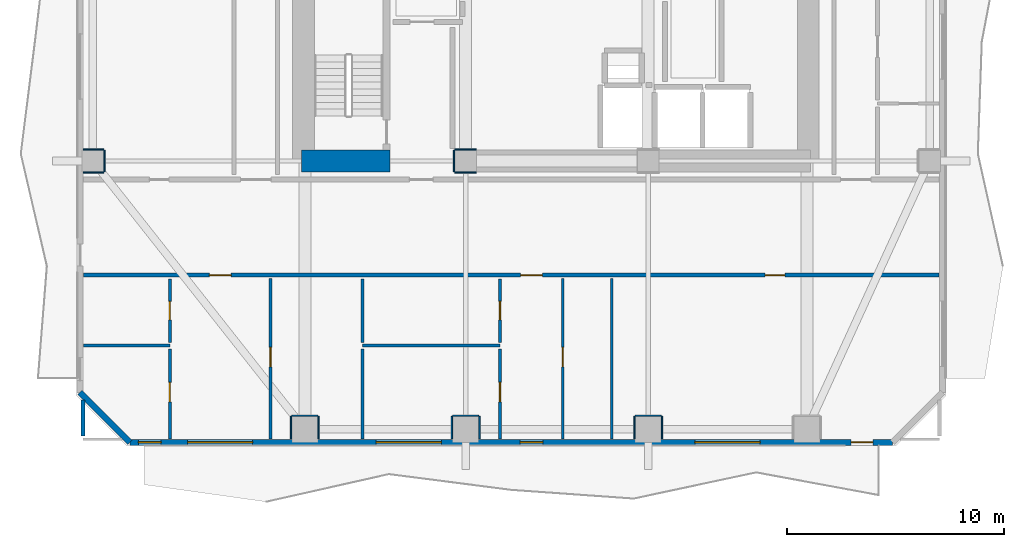
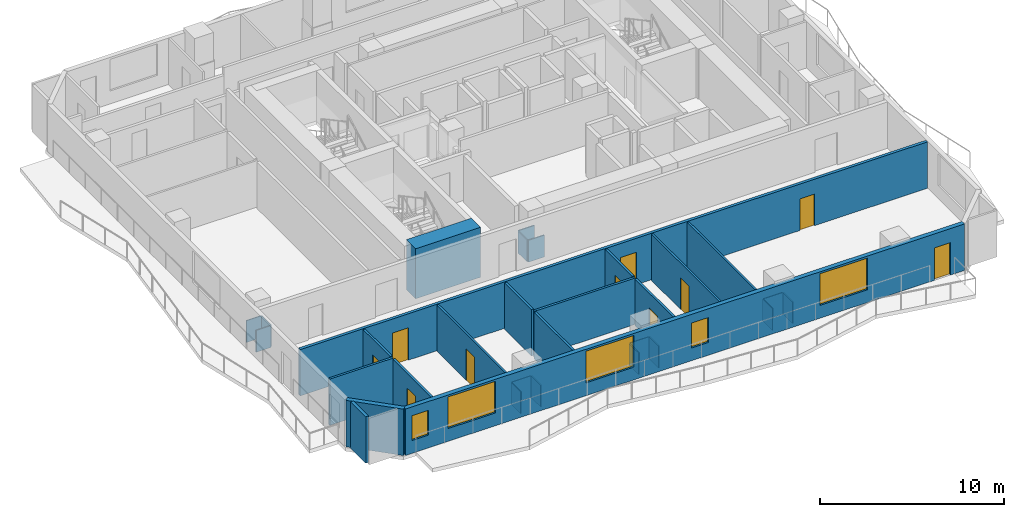
# One storey, part 2 of 10: 31 walls, 10 doors, 5 windows, 15 openings.
"""IFC4 building model written with IfcOpenShell, lengths in metres."""

from ifc_helpers import new_model, si_unit, direction, frame, frame_2d, origin, place, context, subcontext, project, spatial, rectangle, extrude, material, layer, layer_set, type_object, element, fill, save


model = new_model("IFC4")

# Units and contexts
model_context = context("Model", 3, precision=1e-05, world=origin(), true_north=direction((0.0, 1.0)))
body_context = subcontext(model_context, "Body", "Model", "MODEL_VIEW")
ifc_project = project(units=[si_unit("LENGTHUNIT", "METRE"), si_unit("AREAUNIT", "SQUARE_METRE"), si_unit("VOLUMEUNIT", "CUBIC_METRE"), si_unit("PLANEANGLEUNIT", "RADIAN"), si_unit("MASSUNIT", "GRAM", prefix="KILO")], contexts=[model_context])

# Site, building, storey
site_placement = place(None, origin())
site = spatial("IfcSite", under=ifc_project, at=site_placement, CompositionType="ELEMENT")
building_placement = place(site_placement, origin())
building = spatial("IfcBuilding", under=site, at=building_placement, Name="Solanera Arch Residences", CompositionType="ELEMENT")
storey_placement = place(building_placement, frame((0.0, 0.0, 119.360107421875)))
storey = spatial("IfcBuildingStorey", under=building, at=storey_placement, Name="L34", CompositionType="ELEMENT", Elevation=119.360107421875)

# Walls
ifc_material_1 = material(Name="Fire-Rated Gypsum Stud Partition", Category="gypsum")
ifc_layer_1 = layer(ifc_material_1, 0.06005859375)
ifc_layer_set_1 = layer_set([ifc_layer_1], Name="Fire-Rated Gypsum Stud Partition")
wall_type_1 = type_object("IfcWallType", Name="Column Acoustic Furring Wall 60", PredefinedType="PARTITIONING", material=ifc_layer_set_1)
for number, where, z_axis, x_axis, name in (
    (1, (20.300048828125, 21.468017578125, 0.0), (0.0, 0.0, 1.0), (1.0, 0.0, 0.0), "L34 Column Furring 1S"),
    (2, (20.300048828125, 22.531982421875, 0.0), (0.0, 0.0, 1.0), (1.0, 0.0, 0.0), "L34 Column Furring 1N"),
    (3, (20.26806640625, 21.5, 0.0), (0.0, 0.0, 1.0), (0.0, 1.0, 0.0), "L34 Column Furring 1W"),
):
    element("IfcWall", number, at=place(storey_placement, frame(where, z_axis=z_axis, x_axis=x_axis)), inside=storey, type_object=wall_type_1, Name=name, PredefinedType="PARTITIONING", context=body_context, shape_type="SweptSolid", body=[
        extrude(rectangle(XDim=1.0, YDim=0.06005859375, at=frame_2d((0.5, 0.0))), origin(), (0.0, 0.0, 1.0), 1.449951171875),
    ])
wall_1_placement = place(storey_placement, frame((12.800048828125, 10.281982421875, 0.0), z_axis=(0.0, 0.0, 1.0), x_axis=(1.0, 0.0, 0.0)))
element("IfcWall", 4, at=wall_1_placement, inside=storey, type_object=wall_type_1, Name="L34 Column Furring 9N", PredefinedType="PARTITIONING", context=body_context, shape_type="SweptSolid", body=[
    extrude(rectangle(XDim=1.199951171875, YDim=0.06005859375, at=frame_2d((0.60009765625, 0.0))), origin(), (0.0, 0.0, 1.0), 1.449951171875),
])
for number, where, z_axis, x_axis, name in (
    (5, (12.76806640625, 9.2099609375, 0.0), (0.0, 0.0, 1.0), (0.0, 1.0, 0.0), "L34 Column Furring 9W"),
    (6, (14.031982421875, 9.2099609375, 0.0), (0.0, 0.0, 1.0), (0.0, 1.0, 0.0), "L34 Column Furring 9E"),
):
    element("IfcWall", number, at=place(storey_placement, frame(where, z_axis=z_axis, x_axis=x_axis)), inside=storey, type_object=wall_type_1, Name=name, PredefinedType="PARTITIONING", context=body_context, shape_type="SweptSolid", body=[
        extrude(rectangle(XDim=1.0400390625, YDim=0.06005859375, at=frame_2d((0.52001953125, 0.0))), origin(), (0.0, 0.0, 1.0), 1.449951171875),
    ])
wall_2_placement = place(storey_placement, frame((20.199951171875, 10.281982421875, 0.0), z_axis=(0.0, 0.0, 1.0), x_axis=(1.0, 0.0, 0.0)))
element("IfcWall", 7, at=wall_2_placement, inside=storey, type_object=wall_type_1, Name="L34 Column Furring 11N", PredefinedType="PARTITIONING", context=body_context, shape_type="SweptSolid", body=[
    extrude(rectangle(XDim=1.199951171875, YDim=0.06005859375, at=frame_2d((0.60009765625, 0.0))), origin(), (0.0, 0.0, 1.0), 1.449951171875),
])
for number, where, z_axis, x_axis, name in (
    (8, (20.16796875, 9.2099609375, 0.0), (0.0, 0.0, 1.0), (0.0, 1.0, 0.0), "L34 Column Furring 11W"),
    (9, (21.431884765625, 9.2099609375, 0.0), (0.0, 0.0, 1.0), (0.0, 1.0, 0.0), "L34 Column Furring 11E"),
):
    element("IfcWall", number, at=place(storey_placement, frame(where, z_axis=z_axis, x_axis=x_axis)), inside=storey, type_object=wall_type_1, Name=name, PredefinedType="PARTITIONING", context=body_context, shape_type="SweptSolid", body=[
        extrude(rectangle(XDim=1.0400390625, YDim=0.06005859375, at=frame_2d((0.52001953125, 0.0))), origin(), (0.0, 0.0, 1.0), 1.449951171875),
    ])
wall_3_placement = place(storey_placement, frame((28.60009765625, 10.281982421875, 0.0), z_axis=(0.0, 0.0, 1.0), x_axis=(1.0, 0.0, 0.0)))
element("IfcWall", 10, at=wall_3_placement, inside=storey, type_object=wall_type_1, Name="L34 Column Furring 13N", PredefinedType="PARTITIONING", context=body_context, shape_type="SweptSolid", body=[
    extrude(rectangle(XDim=1.199951171875, YDim=0.06005859375, at=frame_2d((0.60009765625, 0.0))), origin(), (0.0, 0.0, 1.0), 1.449951171875),
])
for number, where, z_axis, x_axis, name in (
    (11, (28.568115234375, 9.2099609375, 0.0), (0.0, 0.0, 1.0), (0.0, 1.0, 0.0), "L34 Column Furring 13W"),
    (12, (29.83203125, 9.2099609375, 0.0), (0.0, 0.0, 1.0), (0.0, 1.0, 0.0), "L34 Column Furring 13E"),
):
    element("IfcWall", number, at=place(storey_placement, frame(where, z_axis=z_axis, x_axis=x_axis)), inside=storey, type_object=wall_type_1, Name=name, PredefinedType="PARTITIONING", context=body_context, shape_type="SweptSolid", body=[
        extrude(rectangle(XDim=1.0400390625, YDim=0.06005859375, at=frame_2d((0.52001953125, 0.0))), origin(), (0.0, 0.0, 1.0), 1.449951171875),
    ])
for number, where, z_axis, x_axis, name in (
    (13, (3.2099609375, 21.468017578125, 0.0), (0.0, 0.0, 1.0), (1.0, 0.0, 0.0), "L34 Column Furring 17S"),
    (14, (3.2099609375, 22.531982421875, 0.0), (0.0, 0.0, 1.0), (1.0, 0.0, 0.0), "L34 Column Furring 17N"),
):
    element("IfcWall", number, at=place(storey_placement, frame(where, z_axis=z_axis, x_axis=x_axis)), inside=storey, type_object=wall_type_1, Name=name, PredefinedType="PARTITIONING", context=body_context, shape_type="SweptSolid", body=[
        extrude(rectangle(XDim=0.93994140625, YDim=0.06005859375, at=frame_2d((0.469970703125, 0.0))), origin(), (0.0, 0.0, 1.0), 1.449951171875),
    ])
wall_4_placement = place(storey_placement, frame((4.181884765625, 21.5, 0.0), z_axis=(0.0, 0.0, 1.0), x_axis=(0.0, 1.0, 0.0)))
element("IfcWall", 15, at=wall_4_placement, inside=storey, type_object=wall_type_1, Name="L34 Column Furring 17E", PredefinedType="PARTITIONING", context=body_context, shape_type="SweptSolid", body=[
    extrude(rectangle(XDim=1.0, YDim=0.06005859375, at=frame_2d((0.5, 0.0))), origin(), (0.0, 0.0, 1.0), 1.449951171875),
])
ifc_material_2 = material(Name="Concrete C55/67 (f'c = 60 MPa)", Category="concrete")
ifc_layer_2 = layer(ifc_material_2, 1.0)
ifc_layer_set_2 = layer_set([ifc_layer_2], Name="Concrete C55/67 (f'c = 60 MPa)")
wall_type_2 = type_object("IfcWallType", Name="Core Shear Wall CW-1000", PredefinedType="SHEAR", material=ifc_layer_set_2)
wall_5_placement = place(storey_placement, frame((13.239990234375, 22.0, 0.0), z_axis=(0.0, 0.0, 1.0), x_axis=(1.0, 0.0, 0.0)))
element("IfcWall", 16, at=wall_5_placement, inside=storey, type_object=wall_type_2, Name="L34 South-West Core Shear Wall", PredefinedType="SHEAR", context=body_context, shape_type="SweptSolid", body=[
    extrude(rectangle(XDim=4.080078125, YDim=1.0, at=frame_2d((2.0400390625, 0.0))), origin(), (0.0, 0.0, 1.0), 3.31982421875),
])

# Wall, openings, doors
ifc_material_3 = material(Name="Autoclaved Aerated Concrete Blockwork", Category="masonry")
ifc_layer_3 = layer(ifc_material_3, 0.179931640625)
ifc_layer_set_3 = layer_set([ifc_layer_3], Name="Autoclaved Aerated Concrete Blockwork")
wall_type_3 = type_object("IfcWallType", Name="Corridor Fire Partition 180", PredefinedType="PARTITIONING", material=ifc_layer_set_3)
wall_6_placement = place(storey_placement, frame((3.20703125, 16.75, 0.0), z_axis=(0.0, 0.0, 1.0), x_axis=(1.0, 0.0, 0.0)))
wall_6 = element("IfcWall", 17, at=wall_6_placement, inside=storey, type_object=wall_type_3, Name="L34 Interior Partition H7", PredefinedType="PARTITIONING", context=body_context, shape_type="SweptSolid", body=[
    extrude(rectangle(XDim=39.385986328125, YDim=0.179931640625, at=frame_2d((19.69287109375, 0.0))), origin(), (0.0, 0.0, 1.0), 3.079833984375),
])
opening_1_placement = place(wall_6_placement, frame((5.797119140625, 0.0, 0.0)))
opening_1 = element("IfcOpeningElement", 18, at=opening_1_placement, cuts=wall_6, Name="Opening DI-01", PredefinedType="OPENING", context=body_context, shape_type="SweptSolid", body=[
    extrude(rectangle(XDim=1.0, YDim=2.14990234375, at=frame_2d((0.5, 1.074951171875))), frame((0.0, 0.10009765625, 0.0), z_axis=(0.0, -1.0, 0.0), x_axis=(1.0, 0.0, 0.0)), (0.0, 0.0, 1.0), 0.1999),
])
opening_2_placement = place(wall_6_placement, frame((20.12109375, 0.0, 0.0)))
opening_2 = element("IfcOpeningElement", 19, at=opening_2_placement, cuts=wall_6, Name="Opening DI-01", PredefinedType="OPENING", context=body_context, shape_type="SweptSolid", body=[
    extrude(rectangle(XDim=1.0, YDim=2.14990234375, at=frame_2d((0.5, 1.074951171875))), frame((0.0, 0.10009765625, 0.0), z_axis=(0.0, -1.0, 0.0), x_axis=(1.0, 0.0, 0.0)), (0.0, 0.0, 1.0), 0.1999),
])
opening_3_placement = place(wall_6_placement, frame((31.37890625, 0.0, 0.0)))
opening_3 = element("IfcOpeningElement", 20, at=opening_3_placement, cuts=wall_6, Name="Opening DI-02", PredefinedType="OPENING", context=body_context, shape_type="SweptSolid", body=[
    extrude(rectangle(XDim=0.89990234375, YDim=2.10009765625, at=frame_2d((0.449951171875, 1.050048828125))), frame((0.0, 0.10009765625, 0.0), z_axis=(0.0, -1.0, 0.0), x_axis=(1.0, 0.0, 0.0)), (0.0, 0.0, 1.0), 0.1999),
])
ifc_material_4 = material(Name="Fire-Rated Architectural Hardwood", Category="wood")
door_type_1 = type_object("IfcDoorType", Name="Suite Room Swing Door DI-02", OperationType="NOTDEFINED", PredefinedType="DOOR", material=ifc_material_4)
door_1_placement = place(opening_3_placement, origin())
door_1 = element("IfcDoor", 21, at=door_1_placement, inside=storey, type_object=door_type_1, Name="DR-L34-IN-025", OperationType="SINGLE_SWING_RIGHT", OverallHeight=2.10009765625, OverallWidth=0.89990234375, PredefinedType="DOOR", context=body_context, shape_type="SweptSolid", body=[
    extrude(rectangle(XDim=0.89990234375, YDim=2.10009765625, at=frame_2d((0.449951171875, 1.050048828125))), frame((0.0, 0.02490234375, 0.0), z_axis=(0.0, -1.0, 0.0), x_axis=(1.0, 0.0, 0.0)), (0.0, 0.0, 1.0), 0.050048828125),
])
fill(opening_3, door_1)
ifc_material_5 = material(Name="Fire-Rated Architectural Hardwood", Category="wood")
door_type_2 = type_object("IfcDoorType", Name="Unit Entrance Fire Door DI-01", OperationType="NOTDEFINED", PredefinedType="DOOR", material=ifc_material_5)
door_2_placement = place(opening_1_placement, origin())
door_2 = element("IfcDoor", 22, at=door_2_placement, inside=storey, type_object=door_type_2, Name="DR-L34-IN-017", OperationType="SINGLE_SWING_RIGHT", OverallHeight=2.14990234375, OverallWidth=1.0, PredefinedType="DOOR", context=body_context, shape_type="SweptSolid", body=[
    extrude(rectangle(XDim=1.0, YDim=2.14990234375, at=frame_2d((0.5, 1.074951171875))), frame((0.0, 0.02490234375, 0.0), z_axis=(0.0, -1.0, 0.0), x_axis=(1.0, 0.0, 0.0)), (0.0, 0.0, 1.0), 0.050048828125),
])
fill(opening_1, door_2)
door_3_placement = place(opening_2_placement, origin())
door_3 = element("IfcDoor", 23, at=door_3_placement, inside=storey, type_object=door_type_2, Name="DR-L34-IN-021", OperationType="SINGLE_SWING_RIGHT", OverallHeight=2.14990234375, OverallWidth=1.0, PredefinedType="DOOR", context=body_context, shape_type="SweptSolid", body=[
    extrude(rectangle(XDim=1.0, YDim=2.14990234375, at=frame_2d((0.5, 1.074951171875))), frame((0.0, 0.02490234375, 0.0), z_axis=(0.0, -1.0, 0.0), x_axis=(1.0, 0.0, 0.0)), (0.0, 0.0, 1.0), 0.050048828125),
])
fill(opening_2, door_3)

# Wall
wall_7_placement = place(storey_placement, frame((3.199951171875, 9.35791015625, 0.0), z_axis=(0.0, 0.0, 1.0), x_axis=(0.0, 1.0, 0.0)))
element("IfcWall", 24, at=wall_7_placement, inside=storey, type_object=wall_type_3, Name="L34 Interior Partition V7 1", PredefinedType="PARTITIONING", context=body_context, shape_type="SweptSolid", body=[
    extrude(rectangle(XDim=1.63720703125, YDim=0.179931640625, at=frame_2d((0.818603515625, 0.0))), origin(), (0.0, 0.0, 1.0), 3.079833984375),
])

# Wall, openings, door, windows
ifc_material_6 = material(Name="Precast Concrete C35/45", Category="concrete")
ifc_layer_4 = layer(ifc_material_6, 0.280029296875)
ifc_layer_set_4 = layer_set([ifc_layer_4], Name="Precast Concrete C35/45")
wall_type_4 = type_object("IfcWallType", Name="Exterior Wall Precast Masonry-Frame 280", PredefinedType="STANDARD", material=ifc_layer_set_4)
wall_8_placement = place(storey_placement, frame((40.445068359375, 9.054931640625, 0.0), z_axis=(0.0, 0.0, 1.0), x_axis=(-1.0, 0.0, 0.0)))
wall_8 = element("IfcWall", 25, at=wall_8_placement, inside=storey, type_object=wall_type_4, Name="L34 Tower Exterior Precast Masonry-Frame Wall S", PredefinedType="STANDARD", context=body_context, shape_type="SweptSolid", body=[
    extrude(rectangle(XDim=35.090087890625, YDim=0.280029296875, at=frame_2d((17.544921875, 0.0))), origin(), (0.0, 0.0, 1.0), 3.079833984375),
])
opening_4_placement = place(wall_8_placement, frame((0.904052734375, 0.0, 0.0)))
opening_4 = element("IfcOpeningElement", 26, at=opening_4_placement, cuts=wall_8, Name="Opening DB-01", PredefinedType="OPENING", context=body_context, shape_type="SweptSolid", body=[
    extrude(rectangle(XDim=1.0, YDim=2.14990234375, at=frame_2d((0.5, 1.074951171875))), frame((0.0, 0.14990234375, 0.0), z_axis=(0.0, -1.0, 0.0), x_axis=(1.0, 0.0, 0.0)), (0.0, 0.0, 1.0), 0.3),
])
opening_5_placement = place(wall_8_placement, frame((29.44189453125, 0.0, 0.85009765625)))
opening_5 = element("IfcOpeningElement", 27, at=opening_5_placement, cuts=wall_8, Name="Opening W-12", PredefinedType="OPENING", context=body_context, shape_type="SweptSolid", body=[
    extrude(rectangle(XDim=3.0, YDim=2.10009765625, at=frame_2d((1.5, 1.050048828125))), frame((0.0, 0.14990234375, 0.0), z_axis=(0.0, -1.0, 0.0), x_axis=(1.0, 0.0, 0.0)), (0.0, 0.0, 1.0), 0.3),
])
opening_6_placement = place(wall_8_placement, frame((33.654052734375, 0.0, 0.85009765625)))
opening_6 = element("IfcOpeningElement", 28, at=opening_6_placement, cuts=wall_8, Name="Opening W-07", PredefinedType="OPENING", context=body_context, shape_type="SweptSolid", body=[
    extrude(rectangle(XDim=1.050048828125, YDim=1.64990234375, at=frame_2d((0.52490234375, 0.824951171875))), frame((0.0, 0.14990234375, 0.0), z_axis=(0.0, -1.0, 0.0), x_axis=(1.0, 0.0, 0.0)), (0.0, 0.0, 1.0), 0.3),
])
opening_7_placement = place(wall_8_placement, frame((16.092041015625, 0.0, 0.85009765625)))
opening_7 = element("IfcOpeningElement", 29, at=opening_7_placement, cuts=wall_8, Name="Opening W-07", PredefinedType="OPENING", context=body_context, shape_type="SweptSolid", body=[
    extrude(rectangle(XDim=1.050048828125, YDim=1.64990234375, at=frame_2d((0.52490234375, 0.824951171875))), frame((0.0, 0.14990234375, 0.0), z_axis=(0.0, -1.0, 0.0), x_axis=(1.0, 0.0, 0.0)), (0.0, 0.0, 1.0), 0.3),
])
opening_8_placement = place(wall_8_placement, frame((20.764892578125, 0.0, 0.85009765625)))
opening_8 = element("IfcOpeningElement", 30, at=opening_8_placement, cuts=wall_8, Name="Opening W-12", PredefinedType="OPENING", context=body_context, shape_type="SweptSolid", body=[
    extrude(rectangle(XDim=3.0, YDim=2.10009765625, at=frame_2d((1.5, 1.050048828125))), frame((0.0, 0.14990234375, 0.0), z_axis=(0.0, -1.0, 0.0), x_axis=(1.0, 0.0, 0.0)), (0.0, 0.0, 1.0), 0.3),
])
opening_9_placement = place(wall_8_placement, frame((6.094970703125, 0.0, 0.85009765625)))
opening_9 = element("IfcOpeningElement", 31, at=opening_9_placement, cuts=wall_8, Name="Opening W-12", PredefinedType="OPENING", context=body_context, shape_type="SweptSolid", body=[
    extrude(rectangle(XDim=3.0, YDim=2.10009765625, at=frame_2d((1.5, 1.050048828125))), frame((0.0, 0.14990234375, 0.0), z_axis=(0.0, -1.0, 0.0), x_axis=(1.0, 0.0, 0.0)), (0.0, 0.0, 1.0), 0.3),
])
ifc_material_7 = material(Name="Anodised Aluminium Alloy 6063-T6", Category="aluminium")
door_type_3 = type_object("IfcDoorType", Name="Glazed Balcony Swing Door DB-01", OperationType="NOTDEFINED", PredefinedType="DOOR", material=ifc_material_7)
door_4_placement = place(opening_4_placement, origin())
door_4 = element("IfcDoor", 32, at=door_4_placement, inside=storey, type_object=door_type_3, Name="DR-L34-OUT-01", OperationType="SINGLE_SWING_RIGHT", OverallHeight=2.14990234375, OverallWidth=1.0, PredefinedType="DOOR", context=body_context, shape_type="SweptSolid", body=[
    extrude(rectangle(XDim=1.0, YDim=2.14990234375, at=frame_2d((0.5, 1.074951171875))), frame((0.0, 0.02490234375, 0.0), z_axis=(0.0, -1.0, 0.0), x_axis=(1.0, 0.0, 0.0)), (0.0, 0.0, 1.0), 0.050048828125),
])
fill(opening_4, door_4)
ifc_material_8 = material(Name="Double Glazed Low-E Laminated Glass", Category="glass")
window_type_1 = type_object("IfcWindowType", Name="Punched Window W-07", PartitioningType="SINGLE_PANEL", PredefinedType="WINDOW", material=ifc_material_8)
window_1_placement = place(opening_6_placement, origin())
window_1 = element("IfcWindow", 33, at=window_1_placement, inside=storey, type_object=window_type_1, Name="L34 3401-BR1 Punched Window", OverallHeight=1.64990234375, OverallWidth=1.050048828125, PartitioningType="SINGLE_PANEL", PredefinedType="WINDOW", context=body_context, shape_type="SweptSolid", body=[
    extrude(rectangle(XDim=1.050048828125, YDim=1.64990234375, at=frame_2d((0.52490234375, 0.824951171875))), frame((0.0, 0.030029296875, 0.0), z_axis=(0.0, -1.0, 0.0), x_axis=(1.0, 0.0, 0.0)), (0.0, 0.0, 1.0), 0.06005859375),
])
fill(opening_6, window_1)
window_2_placement = place(opening_7_placement, origin())
window_2 = element("IfcWindow", 34, at=window_2_placement, inside=storey, type_object=window_type_1, Name="L34 3402-LIV Punched Window", OverallHeight=1.64990234375, OverallWidth=1.050048828125, PartitioningType="SINGLE_PANEL", PredefinedType="WINDOW", context=body_context, shape_type="SweptSolid", body=[
    extrude(rectangle(XDim=1.050048828125, YDim=1.64990234375, at=frame_2d((0.52490234375, 0.824951171875))), frame((0.0, 0.030029296875, 0.0), z_axis=(0.0, -1.0, 0.0), x_axis=(1.0, 0.0, 0.0)), (0.0, 0.0, 1.0), 0.06005859375),
])
fill(opening_7, window_2)
ifc_material_9 = material(Name="Double Glazed Low-E Laminated Glass", Category="glass")
window_type_2 = type_object("IfcWindowType", Name="Punched Window W-12", PartitioningType="TRIPLE_PANEL_VERTICAL", PredefinedType="WINDOW", material=ifc_material_9)
window_3_placement = place(opening_5_placement, origin())
window_3 = element("IfcWindow", 35, at=window_3_placement, inside=storey, type_object=window_type_2, Name="L34 3401-LIV Punched Window", OverallHeight=2.10009765625, OverallWidth=3.0, PartitioningType="SINGLE_PANEL", PredefinedType="WINDOW", context=body_context, shape_type="SweptSolid", body=[
    extrude(rectangle(XDim=3.0, YDim=2.10009765625, at=frame_2d((1.5, 1.050048828125))), frame((0.0, 0.030029296875, 0.0), z_axis=(0.0, -1.0, 0.0), x_axis=(1.0, 0.0, 0.0)), (0.0, 0.0, 1.0), 0.06005859375),
])
fill(opening_5, window_3)
window_4_placement = place(opening_8_placement, origin())
window_4 = element("IfcWindow", 36, at=window_4_placement, inside=storey, type_object=window_type_2, Name="L34 3402-BR1 Punched Window", OverallHeight=2.10009765625, OverallWidth=3.0, PartitioningType="SINGLE_PANEL", PredefinedType="WINDOW", context=body_context, shape_type="SweptSolid", body=[
    extrude(rectangle(XDim=3.0, YDim=2.10009765625, at=frame_2d((1.5, 1.050048828125))), frame((0.0, 0.030029296875, 0.0), z_axis=(0.0, -1.0, 0.0), x_axis=(1.0, 0.0, 0.0)), (0.0, 0.0, 1.0), 0.06005859375),
])
fill(opening_8, window_4)
window_5_placement = place(opening_9_placement, origin())
window_5 = element("IfcWindow", 37, at=window_5_placement, inside=storey, type_object=window_type_2, Name="L34 AMN-LNG Punched Window", OverallHeight=2.10009765625, OverallWidth=3.0, PartitioningType="SINGLE_PANEL", PredefinedType="WINDOW", context=body_context, shape_type="SweptSolid", body=[
    extrude(rectangle(XDim=3.0, YDim=2.10009765625, at=frame_2d((1.5, 1.050048828125))), frame((0.0, 0.030029296875, 0.0), z_axis=(0.0, -1.0, 0.0), x_axis=(1.0, 0.0, 0.0)), (0.0, 0.0, 1.0), 0.06005859375),
])
fill(opening_9, window_5)

# Wall
wall_9_placement = place(storey_placement, frame((5.35498046875, 9.054931640625, 0.0), z_axis=(0.0, 0.0, 1.0), x_axis=(-0.707106781187, 0.707106781187, 0.0)))
element("IfcWall", 38, at=wall_9_placement, inside=storey, type_object=wall_type_4, Name="L34 Tower Exterior Precast Masonry-Frame Wall CH7", PredefinedType="STANDARD", context=body_context, shape_type="SweptSolid", body=[
    extrude(rectangle(XDim=3.252685546875, YDim=0.280029296875, at=frame_2d((1.62646484375, 0.0))), origin(), (0.0, 0.0, 1.0), 3.079833984375),
])

# Wall, opening, door
ifc_material_10 = material(Name="Fire-Rated Gypsum Stud Partition", Category="gypsum")
ifc_layer_5 = layer(ifc_material_10, 0.1201171875)
ifc_layer_set_5 = layer_set([ifc_layer_5], Name="Fire-Rated Gypsum Stud Partition")
wall_type_5 = type_object("IfcWallType", Name="Unit Drywall Partition 120", PredefinedType="PARTITIONING", material=ifc_layer_set_5)
wall_10_placement = place(storey_placement, frame((11.820068359375, 9.20703125, 0.0), z_axis=(0.0, 0.0, 1.0), x_axis=(0.0, 1.0, 0.0)))
wall_10 = element("IfcWall", 39, at=wall_10_placement, inside=storey, type_object=wall_type_5, Name="L34 Interior Partition V18", PredefinedType="PARTITIONING", context=body_context, shape_type="SweptSolid", body=[
    extrude(rectangle(XDim=7.385009765625, YDim=0.1201171875, at=frame_2d((3.6923828125, 0.0))), origin(), (0.0, 0.0, 1.0), 3.079833984375),
])
opening_10_placement = place(wall_10_placement, frame((3.318115234375, 0.0, 0.0)))
opening_10 = element("IfcOpeningElement", 40, at=opening_10_placement, cuts=wall_10, Name="Opening DI-02", PredefinedType="OPENING", context=body_context, shape_type="SweptSolid", body=[
    extrude(rectangle(XDim=0.89990234375, YDim=2.10009765625, at=frame_2d((0.449951171875, 1.050048828125))), frame((0.0, 0.070068359375, 0.0), z_axis=(0.0, -1.0, 0.0), x_axis=(1.0, 0.0, 0.0)), (0.0, 0.0, 1.0), 0.1401),
])
door_5_placement = place(opening_10_placement, origin())
door_5 = element("IfcDoor", 41, at=door_5_placement, inside=storey, type_object=door_type_1, Name="DR-L34-IN-020", OperationType="SINGLE_SWING_LEFT", OverallHeight=2.10009765625, OverallWidth=0.89990234375, PredefinedType="DOOR", context=body_context, shape_type="SweptSolid", body=[
    extrude(rectangle(XDim=0.89990234375, YDim=2.10009765625, at=frame_2d((0.449951171875, 1.050048828125))), frame((0.0, 0.02490234375, 0.0), z_axis=(0.0, -1.0, 0.0), x_axis=(1.0, 0.0, 0.0)), (0.0, 0.0, 1.0), 0.050048828125),
])
fill(opening_10, door_5)

wall_11_placement = place(storey_placement, frame((25.27587890625, 9.20703125, 0.0), z_axis=(0.0, 0.0, 1.0), x_axis=(0.0, 1.0, 0.0)))
wall_11 = element("IfcWall", 42, at=wall_11_placement, inside=storey, type_object=wall_type_5, Name="L34 Interior Partition V21", PredefinedType="PARTITIONING", context=body_context, shape_type="SweptSolid", body=[
    extrude(rectangle(XDim=7.385009765625, YDim=0.1201171875, at=frame_2d((3.6923828125, 0.0))), origin(), (0.0, 0.0, 1.0), 3.079833984375),
])
opening_11_placement = place(wall_11_placement, frame((3.318115234375, 0.0, 0.0)))
opening_11 = element("IfcOpeningElement", 43, at=opening_11_placement, cuts=wall_11, Name="Opening DI-02", PredefinedType="OPENING", context=body_context, shape_type="SweptSolid", body=[
    extrude(rectangle(XDim=0.89990234375, YDim=2.10009765625, at=frame_2d((0.449951171875, 1.050048828125))), frame((0.0, 0.070068359375, 0.0), z_axis=(0.0, -1.0, 0.0), x_axis=(1.0, 0.0, 0.0)), (0.0, 0.0, 1.0), 0.1401),
])
door_6_placement = place(opening_11_placement, origin())
door_6 = element("IfcDoor", 44, at=door_6_placement, inside=storey, type_object=door_type_1, Name="DR-L34-IN-024", OperationType="SINGLE_SWING_LEFT", OverallHeight=2.10009765625, OverallWidth=0.89990234375, PredefinedType="DOOR", context=body_context, shape_type="SweptSolid", body=[
    extrude(rectangle(XDim=0.89990234375, YDim=2.10009765625, at=frame_2d((0.449951171875, 1.050048828125))), frame((0.0, 0.02490234375, 0.0), z_axis=(0.0, -1.0, 0.0), x_axis=(1.0, 0.0, 0.0)), (0.0, 0.0, 1.0), 0.050048828125),
])
fill(opening_11, door_6)

# Walls
wall_12_placement = place(storey_placement, frame((27.52001953125, 9.20703125, 0.0), z_axis=(0.0, 0.0, 1.0), x_axis=(0.0, 1.0, 0.0)))
element("IfcWall", 45, at=wall_12_placement, inside=storey, type_object=wall_type_5, Name="L34 Interior Partition V22", PredefinedType="PARTITIONING", context=body_context, shape_type="SweptSolid", body=[
    extrude(rectangle(XDim=7.385009765625, YDim=0.1201171875, at=frame_2d((3.6923828125, 0.0))), origin(), (0.0, 0.0, 1.0), 3.079833984375),
])
ifc_material_11 = material(Name="Autoclaved Aerated Concrete Blockwork", Category="masonry")
ifc_layer_6 = layer(ifc_material_11, 0.139892578125)
ifc_layer_set_6 = layer_set([ifc_layer_6], Name="Autoclaved Aerated Concrete Blockwork")
wall_type_6 = type_object("IfcWallType", Name="Wet-Room Partition 140", PredefinedType="PARTITIONING", material=ifc_layer_set_6)
wall_13_placement = place(storey_placement, frame((3.20703125, 13.50390625, 0.0), z_axis=(0.0, 0.0, 1.0), x_axis=(1.0, 0.0, 0.0)))
element("IfcWall", 46, at=wall_13_placement, inside=storey, type_object=wall_type_6, Name="L34 Interior Partition H13", PredefinedType="PARTITIONING", context=body_context, shape_type="SweptSolid", body=[
    extrude(rectangle(XDim=3.97998046875, YDim=0.139892578125, at=frame_2d((1.989990234375, 0.0))), origin(), (0.0, 0.0, 1.0), 3.079833984375),
])
wall_14_placement = place(storey_placement, frame((16.06005859375, 13.50390625, 0.0), z_axis=(0.0, 0.0, 1.0), x_axis=(1.0, 0.0, 0.0)))
element("IfcWall", 47, at=wall_14_placement, inside=storey, type_object=wall_type_6, Name="L34 Interior Partition H14", PredefinedType="PARTITIONING", context=body_context, shape_type="SweptSolid", body=[
    extrude(rectangle(XDim=6.31982421875, YDim=0.139892578125, at=frame_2d((3.159912109375, 0.0))), origin(), (0.0, 0.0, 1.0), 3.079833984375),
])

# Wall, opening, door
wall_15_placement = place(storey_placement, frame((7.18701171875, 9.20703125, 0.0), z_axis=(0.0, 0.0, 1.0), x_axis=(0.0, 1.0, 0.0)))
wall_15 = element("IfcWall", 48, at=wall_15_placement, inside=storey, type_object=wall_type_6, Name="L34 Interior Partition V15 1", PredefinedType="PARTITIONING", context=body_context, shape_type="SweptSolid", body=[
    extrude(rectangle(XDim=4.14892578125, YDim=0.139892578125, at=frame_2d((2.074462890625, 0.0))), origin(), (0.0, 0.0, 1.0), 3.079833984375),
])
opening_12_placement = place(wall_15_placement, frame((1.7080078125, 0.0, 0.0)))
opening_12 = element("IfcOpeningElement", 49, at=opening_12_placement, cuts=wall_15, Name="Opening DI-03", PredefinedType="OPENING", context=body_context, shape_type="SweptSolid", body=[
    extrude(rectangle(XDim=0.89990234375, YDim=2.10009765625, at=frame_2d((0.449951171875, 1.050048828125))), frame((0.0, 0.079833984375, 0.0), z_axis=(0.0, -1.0, 0.0), x_axis=(1.0, 0.0, 0.0)), (0.0, 0.0, 1.0), 0.1599),
])
ifc_material_12 = material(Name="Fire-Rated Architectural Hardwood", Category="wood")
door_type_4 = type_object("IfcDoorType", Name="Bedroom Swing Door DI-03", OperationType="NOTDEFINED", PredefinedType="DOOR", material=ifc_material_12)
door_7_placement = place(opening_12_placement, origin())
door_7 = element("IfcDoor", 50, at=door_7_placement, inside=storey, type_object=door_type_4, Name="DR-L34-IN-019", OperationType="SINGLE_SWING_RIGHT", OverallHeight=2.10009765625, OverallWidth=0.89990234375, PredefinedType="DOOR", context=body_context, shape_type="SweptSolid", body=[
    extrude(rectangle(XDim=0.89990234375, YDim=2.10009765625, at=frame_2d((0.449951171875, 1.050048828125))), frame((0.0, 0.02490234375, 0.0), z_axis=(0.0, -1.0, 0.0), x_axis=(1.0, 0.0, 0.0)), (0.0, 0.0, 1.0), 0.050048828125),
])
fill(opening_12, door_7)

wall_16_placement = place(storey_placement, frame((7.18701171875, 13.652099609375, 0.0), z_axis=(0.0, 0.0, 1.0), x_axis=(0.0, 1.0, 0.0)))
wall_16 = element("IfcWall", 51, at=wall_16_placement, inside=storey, type_object=wall_type_6, Name="L34 Interior Partition V15 2", PredefinedType="PARTITIONING", context=body_context, shape_type="SweptSolid", body=[
    extrude(rectangle(XDim=2.929931640625, YDim=0.139892578125, at=frame_2d((1.46484375, 0.0))), origin(), (0.0, 0.0, 1.0), 3.079833984375),
])
opening_13_placement = place(wall_16_placement, frame((1.031982421875, 0.0, 0.0)))
opening_13 = element("IfcOpeningElement", 52, at=opening_13_placement, cuts=wall_16, Name="Opening DI-05", PredefinedType="OPENING", context=body_context, shape_type="SweptSolid", body=[
    extrude(rectangle(XDim=0.860107421875, YDim=2.02001953125, at=frame_2d((0.43017578125, 1.010009765625))), frame((0.0, 0.079833984375, 0.0), z_axis=(0.0, -1.0, 0.0), x_axis=(1.0, 0.0, 0.0)), (0.0, 0.0, 1.0), 0.1599),
])
ifc_material_13 = material(Name="Fire-Rated Architectural Hardwood", Category="wood")
door_type_5 = type_object("IfcDoorType", Name="Bathroom Swing Door DI-05", OperationType="NOTDEFINED", PredefinedType="DOOR", material=ifc_material_13)
door_8_placement = place(opening_13_placement, origin())
door_8 = element("IfcDoor", 53, at=door_8_placement, inside=storey, type_object=door_type_5, Name="DR-L34-IN-018", OperationType="SINGLE_SWING_LEFT", OverallHeight=2.02001953125, OverallWidth=0.860107421875, PredefinedType="DOOR", context=body_context, shape_type="SweptSolid", body=[
    extrude(rectangle(XDim=0.860107421875, YDim=2.02001953125, at=frame_2d((0.43017578125, 1.010009765625))), frame((0.0, 0.02490234375, 0.0), z_axis=(0.0, -1.0, 0.0), x_axis=(1.0, 0.0, 0.0)), (0.0, 0.0, 1.0), 0.050048828125),
])
fill(opening_13, door_8)

# Walls
wall_17_placement = place(storey_placement, frame((16.06005859375, 9.20703125, 0.0), z_axis=(0.0, 0.0, 1.0), x_axis=(0.0, 1.0, 0.0)))
element("IfcWall", 54, at=wall_17_placement, inside=storey, type_object=wall_type_6, Name="L34 Interior Partition V16 1", PredefinedType="PARTITIONING", context=body_context, shape_type="SweptSolid", body=[
    extrude(rectangle(XDim=4.14892578125, YDim=0.139892578125, at=frame_2d((2.074462890625, 0.0))), origin(), (0.0, 0.0, 1.0), 3.079833984375),
])
wall_18_placement = place(storey_placement, frame((16.06005859375, 13.652099609375, 0.0), z_axis=(0.0, 0.0, 1.0), x_axis=(0.0, 1.0, 0.0)))
element("IfcWall", 55, at=wall_18_placement, inside=storey, type_object=wall_type_6, Name="L34 Interior Partition V16 2", PredefinedType="PARTITIONING", context=body_context, shape_type="SweptSolid", body=[
    extrude(rectangle(XDim=2.929931640625, YDim=0.139892578125, at=frame_2d((1.46484375, 0.0))), origin(), (0.0, 0.0, 1.0), 3.079833984375),
])

# Wall, opening, door
wall_19_placement = place(storey_placement, frame((22.3798828125, 9.20703125, 0.0), z_axis=(0.0, 0.0, 1.0), x_axis=(0.0, 1.0, 0.0)))
wall_19 = element("IfcWall", 56, at=wall_19_placement, inside=storey, type_object=wall_type_6, Name="L34 Interior Partition V17 1", PredefinedType="PARTITIONING", context=body_context, shape_type="SweptSolid", body=[
    extrude(rectangle(XDim=4.14892578125, YDim=0.139892578125, at=frame_2d((2.074462890625, 0.0))), origin(), (0.0, 0.0, 1.0), 3.079833984375),
])
opening_14_placement = place(wall_19_placement, frame((1.7080078125, 0.0, 0.0)))
opening_14 = element("IfcOpeningElement", 57, at=opening_14_placement, cuts=wall_19, Name="Opening DI-03", PredefinedType="OPENING", context=body_context, shape_type="SweptSolid", body=[
    extrude(rectangle(XDim=0.89990234375, YDim=2.10009765625, at=frame_2d((0.449951171875, 1.050048828125))), frame((0.0, 0.079833984375, 0.0), z_axis=(0.0, -1.0, 0.0), x_axis=(1.0, 0.0, 0.0)), (0.0, 0.0, 1.0), 0.1599),
])
door_9_placement = place(opening_14_placement, origin())
door_9 = element("IfcDoor", 58, at=door_9_placement, inside=storey, type_object=door_type_4, Name="DR-L34-IN-023", OperationType="SINGLE_SWING_RIGHT", OverallHeight=2.10009765625, OverallWidth=0.89990234375, PredefinedType="DOOR", context=body_context, shape_type="SweptSolid", body=[
    extrude(rectangle(XDim=0.89990234375, YDim=2.10009765625, at=frame_2d((0.449951171875, 1.050048828125))), frame((0.0, 0.02490234375, 0.0), z_axis=(0.0, -1.0, 0.0), x_axis=(1.0, 0.0, 0.0)), (0.0, 0.0, 1.0), 0.050048828125),
])
fill(opening_14, door_9)

wall_20_placement = place(storey_placement, frame((22.3798828125, 13.652099609375, 0.0), z_axis=(0.0, 0.0, 1.0), x_axis=(0.0, 1.0, 0.0)))
wall_20 = element("IfcWall", 59, at=wall_20_placement, inside=storey, type_object=wall_type_6, Name="L34 Interior Partition V17 2", PredefinedType="PARTITIONING", context=body_context, shape_type="SweptSolid", body=[
    extrude(rectangle(XDim=2.929931640625, YDim=0.139892578125, at=frame_2d((1.46484375, 0.0))), origin(), (0.0, 0.0, 1.0), 3.079833984375),
])
opening_15_placement = place(wall_20_placement, frame((1.031982421875, 0.0, 0.0)))
opening_15 = element("IfcOpeningElement", 60, at=opening_15_placement, cuts=wall_20, Name="Opening DI-05", PredefinedType="OPENING", context=body_context, shape_type="SweptSolid", body=[
    extrude(rectangle(XDim=0.860107421875, YDim=2.02001953125, at=frame_2d((0.43017578125, 1.010009765625))), frame((0.0, 0.079833984375, 0.0), z_axis=(0.0, -1.0, 0.0), x_axis=(1.0, 0.0, 0.0)), (0.0, 0.0, 1.0), 0.1599),
])
door_10_placement = place(opening_15_placement, origin())
door_10 = element("IfcDoor", 61, at=door_10_placement, inside=storey, type_object=door_type_5, Name="DR-L34-IN-022", OperationType="SINGLE_SWING_LEFT", OverallHeight=2.02001953125, OverallWidth=0.860107421875, PredefinedType="DOOR", context=body_context, shape_type="SweptSolid", body=[
    extrude(rectangle(XDim=0.860107421875, YDim=2.02001953125, at=frame_2d((0.43017578125, 1.010009765625))), frame((0.0, 0.02490234375, 0.0), z_axis=(0.0, -1.0, 0.0), x_axis=(1.0, 0.0, 0.0)), (0.0, 0.0, 1.0), 0.050048828125),
])
fill(opening_15, door_10)

save(model, "model.ifc")
